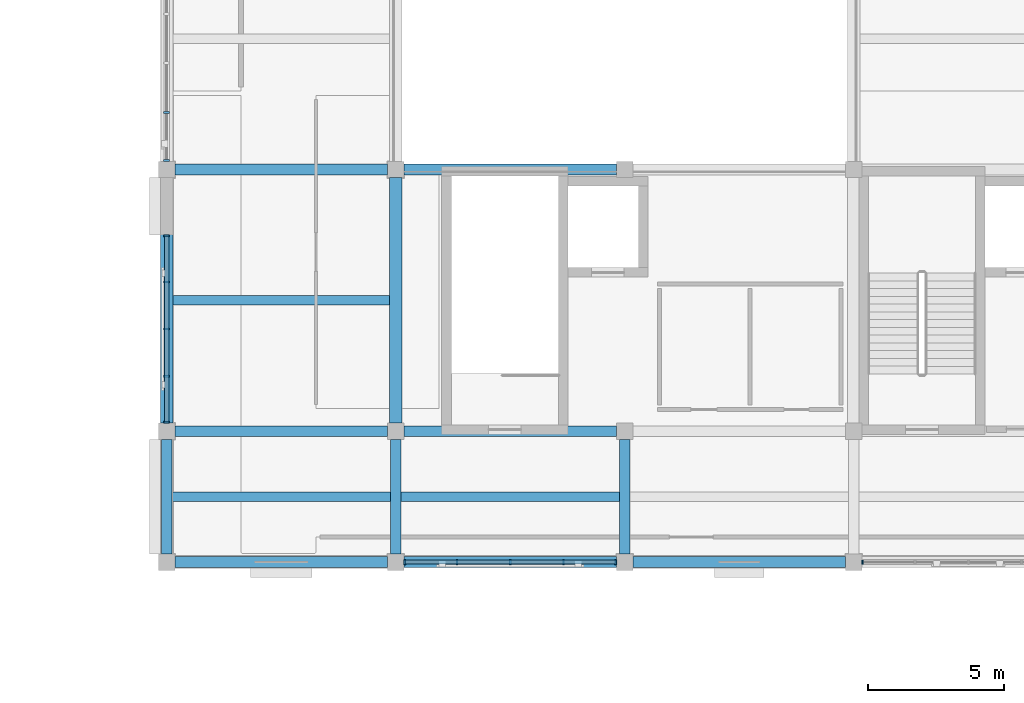
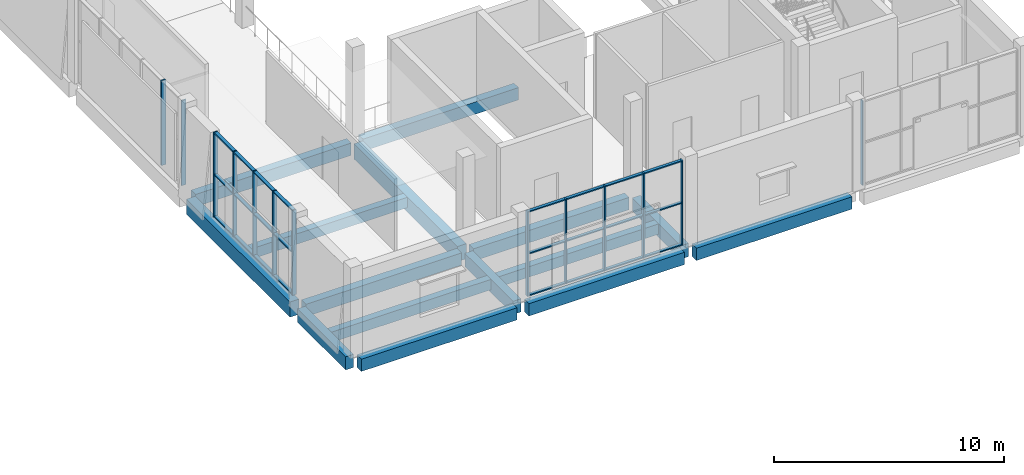
# One storey, part 9 of 37: 19 members, 15 beams, 4 elements without a shape of their own.
"""IFC4 building model written with IfcOpenShell, lengths in metres."""

from ifc_helpers import new_model, si_unit, direction, frame, origin, origin_2d, place, context, subcontext, project, spatial, rectangle, extrude, material, material_profile, profile_set, type_object, element, aggregate, save


model = new_model("IFC4")

# Units and contexts
model_context = context("Model", 3, precision=1e-05, world=origin(), true_north=direction((0.0, 1.0)))
body_context = subcontext(model_context, "Body", "Model", "MODEL_VIEW")
ifc_project = project(units=[si_unit("LENGTHUNIT", "METRE"), si_unit("AREAUNIT", "SQUARE_METRE"), si_unit("VOLUMEUNIT", "CUBIC_METRE"), si_unit("PLANEANGLEUNIT", "RADIAN"), si_unit("MASSUNIT", "GRAM", prefix="KILO")], contexts=[model_context])

# Site, building, storey
site_placement = place(None, origin())
site = spatial("IfcSite", under=ifc_project, at=site_placement, CompositionType="ELEMENT")
building_placement = place(site_placement, origin())
building = spatial("IfcBuilding", under=site, at=building_placement, Name="Shalvenor Court Art Gallery", CompositionType="ELEMENT")
storey_placement = place(building_placement, frame((0.0, 0.0, 22.199951171875)))
storey = spatial("IfcBuildingStorey", under=building, at=storey_placement, Name="L04", CompositionType="ELEMENT", Elevation=22.199951171875)

# Beams
ifc_material_1 = material(Name="Concrete C40/50", Category="concrete")
ifc_material_profile_1 = material_profile(ifc_material_1, rectangle(XDim=0.449951171875, YDim=0.800048828125, at=origin_2d()), Name="RC 450x800")
ifc_profile_set_1 = profile_set([ifc_material_profile_1], Name="Concrete C40/50")
beam_type_1 = type_object("IfcBeamType", Name="B-03", PredefinedType="BEAM", material=ifc_profile_set_1)
for number, where, z_axis, x_axis, name in (
    (1, (142.800048828125, 50.699951171875, -0.699951171875), (0.0, 1.0, 0.0), (-1.0, 0.0, 0.0), "L04 Girder BM-L04-B-03-1179"),
    (2, (151.199951171875, 50.699951171875, -0.699951171875), (0.0, 1.0, 0.0), (-1.0, 0.0, 0.0), "L04 Girder BM-L04-B-03-1185"),
):
    element("IfcBeam", number, at=place(storey_placement, frame(where, z_axis=z_axis, x_axis=x_axis)), inside=storey, type_object=beam_type_1, Name=name, PredefinedType="BEAM", context=body_context, shape_type="SweptSolid", body=[
        extrude(rectangle(XDim=0.449951171875, YDim=0.800048828125, at=origin_2d()), origin(), (0.0, 0.0, 1.0), 9.0),
    ])
ifc_material_2 = material(Name="Concrete C40/50", Category="concrete")
ifc_material_profile_2 = material_profile(ifc_material_2, rectangle(XDim=0.39990234375, YDim=0.699951171875, at=origin_2d()), Name="RC 400x700")
ifc_profile_set_2 = profile_set([ifc_material_profile_2], Name="Concrete C40/50")
beam_type_2 = type_object("IfcBeamType", Name="B-05", PredefinedType="BEAM", material=ifc_profile_set_2)
for number, where, z_axis, x_axis, name in (
    (3, (142.800048828125, 45.89990234375, -0.64990234375), (0.0, 1.0, 0.0), (-1.0, 0.0, 0.0), "L04 Girder BM-L04-B-05-1178"),
    (4, (151.199951171875, 45.89990234375, -0.64990234375), (0.0, 1.0, 0.0), (-1.0, 0.0, 0.0), "L04 Girder BM-L04-B-05-1184"),
    (5, (159.60009765625, 45.89990234375, -0.64990234375), (0.0, 1.0, 0.0), (-1.0, 0.0, 0.0), "L04 Girder BM-L04-B-05-1190"),
):
    element("IfcBeam", number, at=place(storey_placement, frame(where, z_axis=z_axis, x_axis=x_axis)), inside=storey, type_object=beam_type_2, Name=name, PredefinedType="BEAM", context=body_context, shape_type="SweptSolid", body=[
        extrude(rectangle(XDim=0.39990234375, YDim=0.699951171875, at=origin_2d()), origin(), (0.0, 0.0, 1.0), 4.2001953125),
    ])
ifc_material_3 = material(Name="Concrete C40/50", Category="concrete")
ifc_material_profile_3 = material_profile(ifc_material_3, rectangle(XDim=0.39990234375, YDim=0.64990234375, at=origin_2d()), Name="RC 400x650")
ifc_profile_set_3 = profile_set([ifc_material_profile_3], Name="Concrete C40/50")
beam_type_3 = type_object("IfcBeamType", Name="B-06", PredefinedType="BEAM", material=ifc_profile_set_3)
beam_1_placement = place(storey_placement, frame((143.10009765625, 45.60009765625, -0.625), z_axis=(1.0, 0.0, 0.0), x_axis=(0.0, 1.0, 0.0)))
element("IfcBeam", 6, at=beam_1_placement, inside=storey, type_object=beam_type_3, Name="L04 Girder BM-L04-B-06-1215", PredefinedType="BEAM", context=body_context, shape_type="SweptSolid", body=[
    extrude(rectangle(XDim=0.39990234375, YDim=0.64990234375, at=origin_2d()), origin(), (0.0, 0.0, 1.0), 7.7998046875),
])
for number, where, z_axis, x_axis, name in (
    (7, (151.5, 45.60009765625, -0.625), (1.0, 0.0, 0.0), (0.0, 1.0, 0.0), "L04 Girder BM-L04-B-06-1216"),
    (8, (159.89990234375, 45.60009765625, -0.625), (1.0, 0.0, 0.0), (0.0, 1.0, 0.0), "L04 Girder BM-L04-B-06-1217"),
):
    element("IfcBeam", number, at=place(storey_placement, frame(where, z_axis=z_axis, x_axis=x_axis)), inside=storey, type_object=beam_type_3, Name=name, PredefinedType="BEAM", context=body_context, shape_type="SweptSolid", body=[
        extrude(rectangle(XDim=0.39990234375, YDim=0.64990234375, at=origin_2d()), origin(), (0.0, 0.0, 1.0), 7.800048828125),
    ])
beam_2_placement = place(storey_placement, frame((143.10009765625, 50.39990234375, -0.625), z_axis=(1.0, 0.0, 0.0), x_axis=(0.0, 1.0, 0.0)))
element("IfcBeam", 9, at=beam_2_placement, inside=storey, type_object=beam_type_3, Name="L04 Girder BM-L04-B-06-1219", PredefinedType="BEAM", context=body_context, shape_type="SweptSolid", body=[
    extrude(rectangle(XDim=0.39990234375, YDim=0.64990234375, at=origin_2d()), origin(), (0.0, 0.0, 1.0), 7.7998046875),
])
beam_3_placement = place(storey_placement, frame((151.5, 50.39990234375, -0.625), z_axis=(1.0, 0.0, 0.0), x_axis=(0.0, 1.0, 0.0)))
element("IfcBeam", 10, at=beam_3_placement, inside=storey, type_object=beam_type_3, Name="L04 Girder BM-L04-B-06-1220", PredefinedType="BEAM", context=body_context, shape_type="SweptSolid", body=[
    extrude(rectangle(XDim=0.39990234375, YDim=0.64990234375, at=origin_2d()), origin(), (0.0, 0.0, 1.0), 7.800048828125),
])
beam_4_placement = place(storey_placement, frame((143.10009765625, 60.0, -0.625), z_axis=(1.0, 0.0, 0.0), x_axis=(0.0, 1.0, 0.0)))
element("IfcBeam", 11, at=beam_4_placement, inside=storey, type_object=beam_type_3, Name="L04 Girder BM-L04-B-06-1223", PredefinedType="BEAM", context=body_context, shape_type="SweptSolid", body=[
    extrude(rectangle(XDim=0.39990234375, YDim=0.64990234375, at=origin_2d()), origin(), (0.0, 0.0, 1.0), 7.7998046875),
])
beam_5_placement = place(storey_placement, frame((151.5, 60.0, -0.625), z_axis=(1.0, 0.0, 0.0), x_axis=(0.0, 1.0, 0.0)))
element("IfcBeam", 12, at=beam_5_placement, inside=storey, type_object=beam_type_3, Name="L04 Girder BM-L04-B-06-1224", PredefinedType="BEAM", context=body_context, shape_type="SweptSolid", body=[
    extrude(rectangle(XDim=0.39990234375, YDim=0.64990234375, at=origin_2d()), origin(), (0.0, 0.0, 1.0), 7.800048828125),
])

# Curtain wall, members
ifc_material_4 = material(Name="Anodised aluminium and low-iron glass curtain wall", Category="aluminium")
curtain_wall_type_1 = type_object("IfcCurtainWallType", Name="CW-4x2-78-45-112", PredefinedType="USERDEFINED", material=ifc_material_4)
curtain_wall_1_placement = place(storey_placement, origin())
curtain_wall_1 = element("IfcCurtainWall", 13, at=curtain_wall_1_placement, inside=storey, type_object=curtain_wall_type_1, Name="L04 V1 Curtain Wall CW-L04-036", ObjectType="CURTAIN WALL", PredefinedType="USERDEFINED")
ifc_material_5 = material(Name="Anodised aluminium mullion", Category="aluminium")
ifc_material_profile_4 = material_profile(ifc_material_5, rectangle(XDim=0.06494140625, YDim=0.179931640625, at=origin_2d()), Name="CWM-01")
ifc_profile_set_4 = profile_set([ifc_material_profile_4], Name="Anodised aluminium mullion")
member_type_1 = type_object("IfcMemberType", Name="CWM-01", PredefinedType="MULLION", material=ifc_profile_set_4)
member_1_placement = place(storey_placement, frame((159.267578125, 45.60009765625, 0.0), z_axis=(0.0, 0.0, 1.0), x_axis=(-1.0, 0.0, 0.0)))
member_1 = element("IfcMember", 14, at=member_1_placement, type_object=member_type_1, Name="CW-4x2-78-45-112 mullion 1", PredefinedType="MULLION", context=body_context, shape_type="SweptSolid", body=[
    extrude(rectangle(XDim=0.06494140625, YDim=0.179931640625, at=origin_2d()), origin(), (0.0, 0.0, 1.0), 4.5),
])
member_2_placement = place(storey_placement, frame((157.35009765625, 45.60009765625, 0.0), z_axis=(0.0, 0.0, 1.0), x_axis=(-1.0, 0.0, 0.0)))
member_2 = element("IfcMember", 15, at=member_2_placement, type_object=member_type_1, Name="CW-4x2-78-45-112 mullion 2", PredefinedType="MULLION", context=body_context, shape_type="SweptSolid", body=[
    extrude(rectangle(XDim=0.06494140625, YDim=0.179931640625, at=origin_2d()), origin(), (0.0, 0.0, 1.0), 4.5),
])
member_3_placement = place(storey_placement, frame((155.39990234375, 45.60009765625, 0.0), z_axis=(0.0, 0.0, 1.0), x_axis=(-1.0, 0.0, 0.0)))
member_3 = element("IfcMember", 16, at=member_3_placement, type_object=member_type_1, Name="CW-4x2-78-45-112 mullion 3", PredefinedType="MULLION", context=body_context, shape_type="SweptSolid", body=[
    extrude(rectangle(XDim=0.06494140625, YDim=0.179931640625, at=origin_2d()), origin(), (0.0, 0.0, 1.0), 4.5),
])
member_4_placement = place(storey_placement, frame((153.449951171875, 45.60009765625, 0.0), z_axis=(0.0, 0.0, 1.0), x_axis=(-1.0, 0.0, 0.0)))
member_4 = element("IfcMember", 17, at=member_4_placement, type_object=member_type_1, Name="CW-4x2-78-45-112 mullion 4", PredefinedType="MULLION", context=body_context, shape_type="SweptSolid", body=[
    extrude(rectangle(XDim=0.06494140625, YDim=0.179931640625, at=origin_2d()), origin(), (0.0, 0.0, 1.0), 4.5),
])
member_5_placement = place(storey_placement, frame((151.532470703125, 45.60009765625, 0.0), z_axis=(0.0, 0.0, 1.0), x_axis=(-1.0, 0.0, 0.0)))
member_5 = element("IfcMember", 18, at=member_5_placement, type_object=member_type_1, Name="CW-4x2-78-45-112 mullion 5", PredefinedType="MULLION", context=body_context, shape_type="SweptSolid", body=[
    extrude(rectangle(XDim=0.06494140625, YDim=0.179931640625, at=origin_2d()), origin(), (0.0, 0.0, 1.0), 4.5),
])

ifc_material_6 = material(Name="Anodised aluminium and low-iron glass curtain wall", Category="aluminium")
curtain_wall_type_2 = type_object("IfcCurtainWallType", Name="CW-4x2-69-45-222", PredefinedType="USERDEFINED", material=ifc_material_6)
curtain_wall_2_placement = place(storey_placement, origin())
curtain_wall_2 = element("IfcCurtainWall", 19, at=curtain_wall_2_placement, inside=storey, type_object=curtain_wall_type_2, Name="L04 V1 Curtain Wall CW-L04-037", ObjectType="CURTAIN WALL", PredefinedType="USERDEFINED")
ifc_material_7 = material(Name="Anodised aluminium mullion", Category="aluminium")
ifc_material_profile_5 = material_profile(ifc_material_7, rectangle(XDim=0.070068359375, YDim=0.199951171875, at=origin_2d()), Name="CWM-02")
ifc_profile_set_5 = profile_set([ifc_material_profile_5], Name="Anodised aluminium mullion")
member_type_2 = type_object("IfcMemberType", Name="CWM-02", PredefinedType="MULLION", material=ifc_profile_set_5)
member_6_placement = place(storey_placement, frame((142.800048828125, 50.735107421875, 0.0), z_axis=(0.0, 0.0, 1.0), x_axis=(0.0, 1.0, 0.0)))
member_6 = element("IfcMember", 20, at=member_6_placement, type_object=member_type_2, Name="CW-4x2-69-45-222 mullion 1", PredefinedType="MULLION", context=body_context, shape_type="SweptSolid", body=[
    extrude(rectangle(XDim=0.070068359375, YDim=0.199951171875, at=origin_2d()), origin(), (0.0, 0.0, 1.0), 4.5),
])
member_7_placement = place(storey_placement, frame((142.800048828125, 52.425048828125, 0.0), z_axis=(0.0, 0.0, 1.0), x_axis=(0.0, 1.0, 0.0)))
member_7 = element("IfcMember", 21, at=member_7_placement, type_object=member_type_2, Name="CW-4x2-69-45-222 mullion 2", PredefinedType="MULLION", context=body_context, shape_type="SweptSolid", body=[
    extrude(rectangle(XDim=0.070068359375, YDim=0.199951171875, at=origin_2d()), origin(), (0.0, 0.0, 1.0), 4.5),
])
member_8_placement = place(storey_placement, frame((142.800048828125, 54.14990234375, 0.0), z_axis=(0.0, 0.0, 1.0), x_axis=(0.0, 1.0, 0.0)))
member_8 = element("IfcMember", 22, at=member_8_placement, type_object=member_type_2, Name="CW-4x2-69-45-222 mullion 3", PredefinedType="MULLION", context=body_context, shape_type="SweptSolid", body=[
    extrude(rectangle(XDim=0.070068359375, YDim=0.199951171875, at=origin_2d()), origin(), (0.0, 0.0, 1.0), 4.5),
])
member_9_placement = place(storey_placement, frame((142.800048828125, 55.875, 0.0), z_axis=(0.0, 0.0, 1.0), x_axis=(0.0, 1.0, 0.0)))
member_9 = element("IfcMember", 23, at=member_9_placement, type_object=member_type_2, Name="CW-4x2-69-45-222 mullion 4", PredefinedType="MULLION", context=body_context, shape_type="SweptSolid", body=[
    extrude(rectangle(XDim=0.070068359375, YDim=0.199951171875, at=origin_2d()), origin(), (0.0, 0.0, 1.0), 4.5),
])
member_10_placement = place(storey_placement, frame((142.800048828125, 57.56494140625, 0.0), z_axis=(0.0, 0.0, 1.0), x_axis=(0.0, 1.0, 0.0)))
member_10 = element("IfcMember", 24, at=member_10_placement, type_object=member_type_2, Name="CW-4x2-69-45-222 mullion 5", PredefinedType="MULLION", context=body_context, shape_type="SweptSolid", body=[
    extrude(rectangle(XDim=0.070068359375, YDim=0.199951171875, at=origin_2d()), origin(), (0.0, 0.0, 1.0), 4.5),
])

ifc_material_8 = material(Name="Anodised aluminium and low-iron glass curtain wall", Category="aluminium")
curtain_wall_type_3 = type_object("IfcCurtainWallType", Name="CW-5x2-90-45-442", PredefinedType="USERDEFINED", material=ifc_material_8)
curtain_wall_3_placement = place(storey_placement, origin())
curtain_wall_3 = element("IfcCurtainWall", 25, at=curtain_wall_3_placement, inside=storey, type_object=curtain_wall_type_3, Name="L04 V1 Curtain Wall CW-L04-038", ObjectType="CURTAIN WALL", PredefinedType="USERDEFINED")
ifc_material_9 = material(Name="Anodised aluminium mullion", Category="aluminium")
ifc_material_profile_6 = material_profile(ifc_material_9, rectangle(XDim=0.074951171875, YDim=0.219970703125, at=origin_2d()), Name="CWM-04")
ifc_profile_set_6 = profile_set([ifc_material_profile_6], Name="Anodised aluminium mullion")
member_type_3 = type_object("IfcMemberType", Name="CWM-04", PredefinedType="MULLION", material=ifc_profile_set_6)
member_11_placement = place(storey_placement, frame((142.800048828125, 60.33740234375, 0.0), z_axis=(0.0, 0.0, 1.0), x_axis=(0.0, 1.0, 0.0)))
member_11 = element("IfcMember", 26, at=member_11_placement, type_object=member_type_3, Name="CW-5x2-90-45-442 mullion 1", PredefinedType="MULLION", context=body_context, shape_type="SweptSolid", body=[
    extrude(rectangle(XDim=0.074951171875, YDim=0.219970703125, at=origin_2d()), origin(), (0.0, 0.0, 1.0), 4.5),
])
member_12_placement = place(storey_placement, frame((142.800048828125, 62.10009765625, 0.0), z_axis=(0.0, 0.0, 1.0), x_axis=(0.0, 1.0, 0.0)))
member_12 = element("IfcMember", 27, at=member_12_placement, type_object=member_type_3, Name="CW-5x2-90-45-442 mullion 2", PredefinedType="MULLION", context=body_context, shape_type="SweptSolid", body=[
    extrude(rectangle(XDim=0.074951171875, YDim=0.219970703125, at=origin_2d()), origin(), (0.0, 0.0, 1.0), 4.5),
])
aggregate(curtain_wall_3, [member_11, member_12])

# Curtain wall, member
ifc_material_10 = material(Name="Anodised aluminium and low-iron glass curtain wall", Category="aluminium")
curtain_wall_type_4 = type_object("IfcCurtainWallType", Name="CW-4x2-78-45-642", PredefinedType="USERDEFINED", material=ifc_material_10)
curtain_wall_4_placement = place(storey_placement, origin())
curtain_wall_4 = element("IfcCurtainWall", 28, at=curtain_wall_4_placement, inside=storey, type_object=curtain_wall_type_4, Name="L04 V1 Curtain Wall CW-L04-035", ObjectType="CURTAIN WALL", PredefinedType="USERDEFINED")
ifc_material_11 = material(Name="Anodised aluminium mullion", Category="aluminium")
ifc_material_profile_7 = material_profile(ifc_material_11, rectangle(XDim=0.054931640625, YDim=0.139892578125, at=origin_2d()), Name="CWM-06")
ifc_profile_set_7 = profile_set([ifc_material_profile_7], Name="Anodised aluminium mullion")
member_type_4 = type_object("IfcMemberType", Name="CWM-06", PredefinedType="MULLION", material=ifc_profile_set_7)
member_13_placement = place(storey_placement, frame((168.327392578125, 45.60009765625, 0.0), z_axis=(0.0, 0.0, 1.0), x_axis=(-1.0, 0.0, 0.0)))
member_13 = element("IfcMember", 29, at=member_13_placement, type_object=member_type_4, Name="CW-4x2-78-45-642 mullion 5", PredefinedType="MULLION", context=body_context, shape_type="SweptSolid", body=[
    extrude(rectangle(XDim=0.054931640625, YDim=0.139892578125, at=origin_2d()), origin(), (0.0, 0.0, 1.0), 4.5),
])
aggregate(curtain_wall_4, [member_13])

# Member
ifc_material_12 = material(Name="Anodised aluminium transom", Category="aluminium")
ifc_material_profile_8 = material_profile(ifc_material_12, rectangle(XDim=0.14990234375, YDim=0.06005859375, at=origin_2d()), Name="CWT-01")
ifc_profile_set_8 = profile_set([ifc_material_profile_8], Name="Anodised aluminium transom")
member_type_5 = type_object("IfcMemberType", Name="CWT-01", PredefinedType="USERDEFINED", material=ifc_profile_set_8)
member_14_placement = place(storey_placement, frame((159.267578125, 45.60009765625, 0.030029296875), z_axis=(-1.0, 0.0, 0.0), x_axis=(0.0, -1.0, 0.0)))
member_14 = element("IfcMember", 30, at=member_14_placement, type_object=member_type_5, Name="CW-4x2-78-45-112 transom 1", ObjectType="TRANSOM", PredefinedType="USERDEFINED", context=body_context, shape_type="SweptSolid", body=[
    extrude(rectangle(XDim=0.14990234375, YDim=0.06005859375, at=origin_2d()), origin(), (0.0, 0.0, 1.0), 7.735107421875),
])

member_15_placement = place(storey_placement, frame((159.267578125, 45.60009765625, 2.25), z_axis=(-1.0, 0.0, 0.0), x_axis=(0.0, -1.0, 0.0)))
member_15 = element("IfcMember", 31, at=member_15_placement, type_object=member_type_5, Name="CW-4x2-78-45-112 transom 2", ObjectType="TRANSOM", PredefinedType="USERDEFINED", context=body_context, shape_type="SweptSolid", body=[
    extrude(rectangle(XDim=0.14990234375, YDim=0.06005859375, at=origin_2d()), origin(), (0.0, 0.0, 1.0), 7.735107421875),
])

member_16_placement = place(storey_placement, frame((159.267578125, 45.60009765625, 4.469970703125), z_axis=(-1.0, 0.0, 0.0), x_axis=(0.0, -1.0, 0.0)))
member_16 = element("IfcMember", 32, at=member_16_placement, type_object=member_type_5, Name="CW-4x2-78-45-112 transom 3", ObjectType="TRANSOM", PredefinedType="USERDEFINED", context=body_context, shape_type="SweptSolid", body=[
    extrude(rectangle(XDim=0.14990234375, YDim=0.06005859375, at=origin_2d()), origin(), (0.0, 0.0, 1.0), 7.735107421875),
])

aggregate(curtain_wall_1, [member_1, member_2, member_3, member_4, member_5, member_14, member_15, member_16])

ifc_material_13 = material(Name="Anodised aluminium transom", Category="aluminium")
ifc_material_profile_9 = material_profile(ifc_material_13, rectangle(XDim=0.169921875, YDim=0.06494140625, at=origin_2d()), Name="CWT-02")
ifc_profile_set_9 = profile_set([ifc_material_profile_9], Name="Anodised aluminium transom")
member_type_6 = type_object("IfcMemberType", Name="CWT-02", PredefinedType="USERDEFINED", material=ifc_profile_set_9)
member_17_placement = place(storey_placement, frame((142.800048828125, 50.735107421875, 0.032470703125), z_axis=(0.0, 1.0, 0.0), x_axis=(-1.0, 0.0, 0.0)))
member_17 = element("IfcMember", 33, at=member_17_placement, type_object=member_type_6, Name="CW-4x2-69-45-222 transom 1", ObjectType="TRANSOM", PredefinedType="USERDEFINED", context=body_context, shape_type="SweptSolid", body=[
    extrude(rectangle(XDim=0.169921875, YDim=0.06494140625, at=origin_2d()), origin(), (0.0, 0.0, 1.0), 6.829833984375),
])

member_18_placement = place(storey_placement, frame((142.800048828125, 50.735107421875, 2.25), z_axis=(0.0, 1.0, 0.0), x_axis=(-1.0, 0.0, 0.0)))
member_18 = element("IfcMember", 34, at=member_18_placement, type_object=member_type_6, Name="CW-4x2-69-45-222 transom 2", ObjectType="TRANSOM", PredefinedType="USERDEFINED", context=body_context, shape_type="SweptSolid", body=[
    extrude(rectangle(XDim=0.169921875, YDim=0.06494140625, at=origin_2d()), origin(), (0.0, 0.0, 1.0), 6.829833984375),
])

member_19_placement = place(storey_placement, frame((142.800048828125, 50.735107421875, 4.467529296875), z_axis=(0.0, 1.0, 0.0), x_axis=(-1.0, 0.0, 0.0)))
member_19 = element("IfcMember", 35, at=member_19_placement, type_object=member_type_6, Name="CW-4x2-69-45-222 transom 3", ObjectType="TRANSOM", PredefinedType="USERDEFINED", context=body_context, shape_type="SweptSolid", body=[
    extrude(rectangle(XDim=0.169921875, YDim=0.06494140625, at=origin_2d()), origin(), (0.0, 0.0, 1.0), 6.829833984375),
])

aggregate(curtain_wall_2, [member_6, member_7, member_8, member_9, member_10, member_17, member_18, member_19])

# Beams
ifc_material_14 = material(Name="Concrete C40/50", Category="concrete")
ifc_material_profile_10 = material_profile(ifc_material_14, rectangle(XDim=0.35009765625, YDim=0.550048828125, at=origin_2d()), Name="RC 350x550")
ifc_profile_set_10 = profile_set([ifc_material_profile_10], Name="Concrete C40/50")
beam_type_4 = type_object("IfcBeamType", Name="J-02", PredefinedType="JOIST", material=ifc_profile_set_10)
beam_6_placement = place(storey_placement, frame((143.0, 48.0, -0.574951171875), z_axis=(1.0, 0.0, 0.0), x_axis=(0.0, 1.0, 0.0)))
element("IfcBeam", 36, at=beam_6_placement, inside=storey, type_object=beam_type_4, Name="L04 Secondary Beam JST-L04-J-02-1257", PredefinedType="JOIST", context=body_context, shape_type="SweptSolid", body=[
    extrude(rectangle(XDim=0.35009765625, YDim=0.550048828125, at=origin_2d()), origin(), (0.0, 0.0, 1.0), 8.0),
])
beam_7_placement = place(storey_placement, frame((143.02490234375, 55.199951171875, -0.574951171875), z_axis=(1.0, 0.0, 0.0), x_axis=(0.0, 1.0, 0.0)))
element("IfcBeam", 37, at=beam_7_placement, inside=storey, type_object=beam_type_4, Name="L04 Secondary Beam JST-L04-J-02-1258", PredefinedType="JOIST", context=body_context, shape_type="SweptSolid", body=[
    extrude(rectangle(XDim=0.35009765625, YDim=0.550048828125, at=origin_2d()), origin(), (0.0, 0.0, 1.0), 7.9501953125),
])
beam_8_placement = place(storey_placement, frame((151.39990234375, 48.0, -0.574951171875), z_axis=(1.0, 0.0, 0.0), x_axis=(0.0, 1.0, 0.0)))
element("IfcBeam", 38, at=beam_8_placement, inside=storey, type_object=beam_type_4, Name="L04 Secondary Beam JST-L04-J-02-1263", PredefinedType="JOIST", context=body_context, shape_type="SweptSolid", body=[
    extrude(rectangle(XDim=0.35009765625, YDim=0.550048828125, at=origin_2d()), origin(), (0.0, 0.0, 1.0), 8.0),
])

save(model, "model.ifc")
